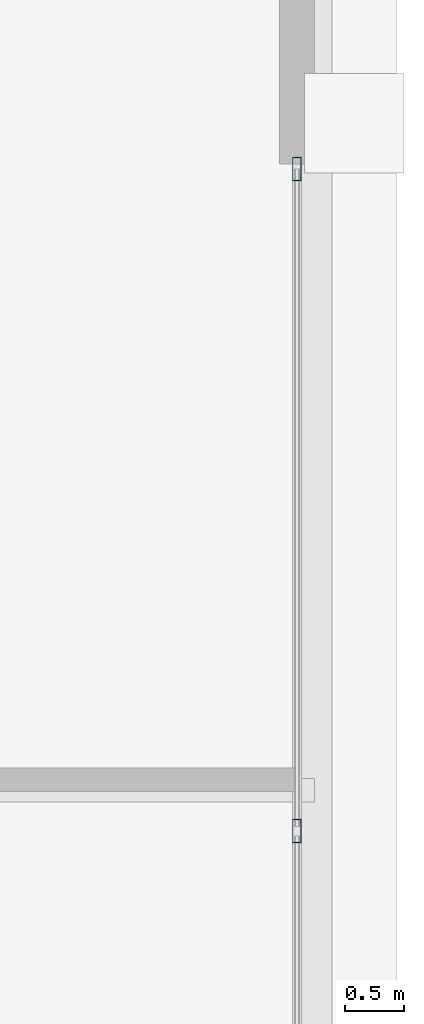
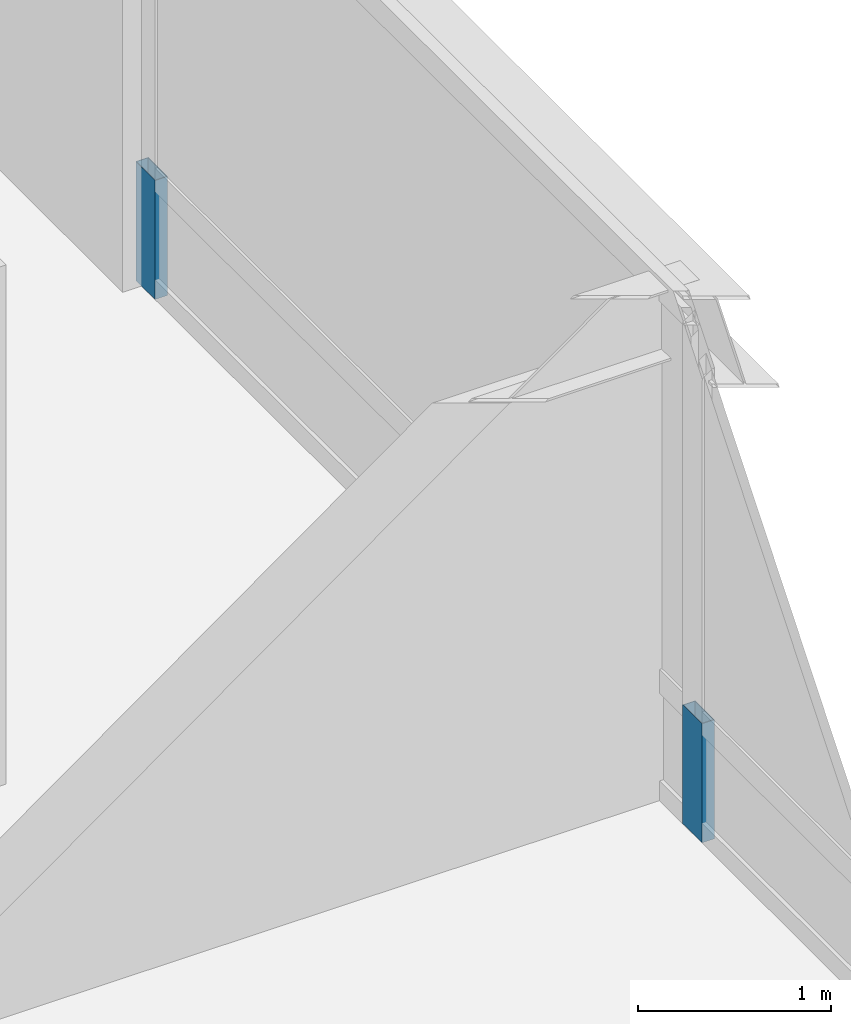
# One storey, part 26 of 35: 2 members, 1 element without a shape of its own.
"""IFC4 building model written with IfcOpenShell, lengths in metres."""

from ifc_helpers import new_model, si_unit, direction, frame, origin, origin_2d, place, context, subcontext, project, spatial, hollow_rectangle, extrude, source, transform, mapped, material, layer, layer_set, material_profile, profile_set, type_object, element, aggregate, save


model = new_model("IFC4")

# Units and contexts
model_context = context("Model", 3, precision=1e-05, world=origin(), true_north=direction((0.0, 1.0)))
body_context = subcontext(model_context, "Body", "Model", "MODEL_VIEW")
ifc_project = project(units=[si_unit("LENGTHUNIT", "METRE"), si_unit("AREAUNIT", "SQUARE_METRE"), si_unit("VOLUMEUNIT", "CUBIC_METRE"), si_unit("PLANEANGLEUNIT", "RADIAN"), si_unit("MASSUNIT", "GRAM", prefix="KILO"), si_unit("THERMODYNAMICTEMPERATUREUNIT", "KELVIN"), si_unit("POWERUNIT", "WATT")], contexts=[model_context])

# Site, building, storey
site_placement = place(None, origin())
site = spatial("IfcSite", under=ifc_project, at=site_placement, CompositionType="ELEMENT")
building_placement = place(site_placement, origin())
building = spatial("IfcBuilding", under=site, at=building_placement, Name="Yuzanri Waterfront Tower", CompositionType="ELEMENT")
storey_placement = place(building_placement, frame((0.0, 0.0, 289.10009765625)))
storey = spatial("IfcBuildingStorey", under=building, at=storey_placement, Name="L77", CompositionType="ELEMENT", Elevation=289.10009765625)

# Curtain wall, members
ifc_material_1 = material(Name="Anodized Architectural Bronze", Category="metal")
ifc_layer = layer(ifc_material_1, 0.159912109375)
ifc_layer_set = layer_set([ifc_layer], Name="Anodized Architectural Bronze")
curtain_wall_type = type_object("IfcCurtainWallType", Name="Anodized Bronze High-Rise Penthouse High-Wind Unitized Curtain Wall 6900", PredefinedType="NOTDEFINED", material=ifc_layer_set)
curtain_wall_placement = place(storey_placement, origin())
curtain_wall = element("IfcCurtainWall", 1, at=curtain_wall_placement, inside=storey, type_object=curtain_wall_type, Name="L77 Curtain Wall CW-L77-ER", PredefinedType="NOTDEFINED")
ifc_material_2 = material(Name="Anodized Architectural Bronze", Category="metal")
ifc_material_profile = material_profile(ifc_material_2, hollow_rectangle(XDim=0.074951171875, YDim=0.199951171875, WallThickness=0.00390625, at=origin_2d()), Name="CWM 75x200")
ifc_profile_set = profile_set([ifc_material_profile], Name="Anodized Architectural Bronze")
member_type = type_object("IfcMemberType", Name="Anodized Bronze Primary Curtain-Wall Mullion 75x200", PredefinedType="MULLION", material=ifc_profile_set)
shared_shape = source(origin(), body_context, "Body", "SweptSolid", [
    extrude(hollow_rectangle(XDim=0.074951171875, YDim=0.199951171875, WallThickness=0.00390625, at=origin_2d()), origin(), (0.0, 0.0, 1.0), 0.751953125),
])
member_1_placement = place(storey_placement, frame((55.949951171875, 31.85009765625, 0.0), z_axis=(0.0, 0.0, 1.0), x_axis=(1.0, 0.0, 0.0)))
member_1 = element("IfcMember", 2, at=member_1_placement, type_object=member_type, Name="CW-L77-ER Lower Mullion 01", PredefinedType="MULLION", context=body_context, shape_type="MappedRepresentation", body=[
    mapped(shared_shape, transform((0.0, 0.0, 0.0), scale=1.0)),
])
member_2_placement = place(storey_placement, frame((55.949951171875, 37.510009765625, 0.0), z_axis=(0.0, 0.0, 1.0), x_axis=(1.0, 0.0, 0.0)))
member_2 = element("IfcMember", 3, at=member_2_placement, type_object=member_type, Name="CW-L77-ER Lower Mullion 02", PredefinedType="MULLION", context=body_context, shape_type="MappedRepresentation", body=[
    mapped(shared_shape, transform((0.0, 0.0, 0.0), scale=1.0)),
])
aggregate(curtain_wall, [member_1, member_2])

save(model, "model.ifc")
